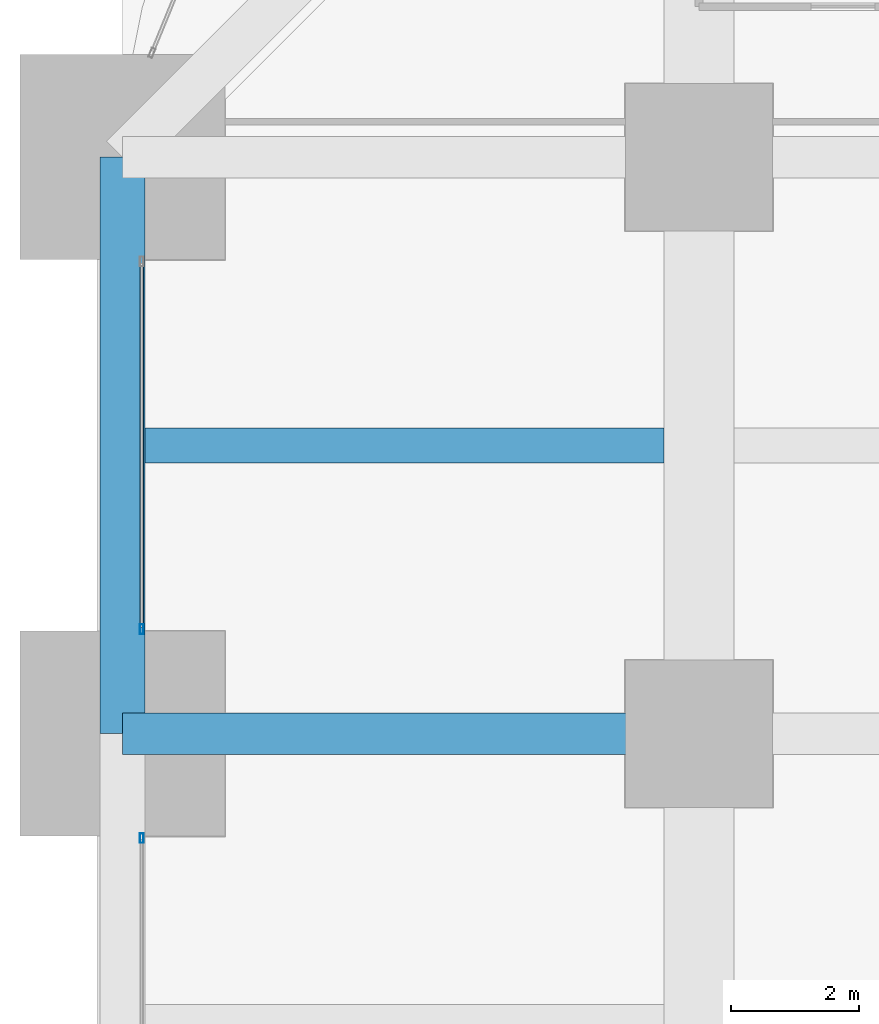
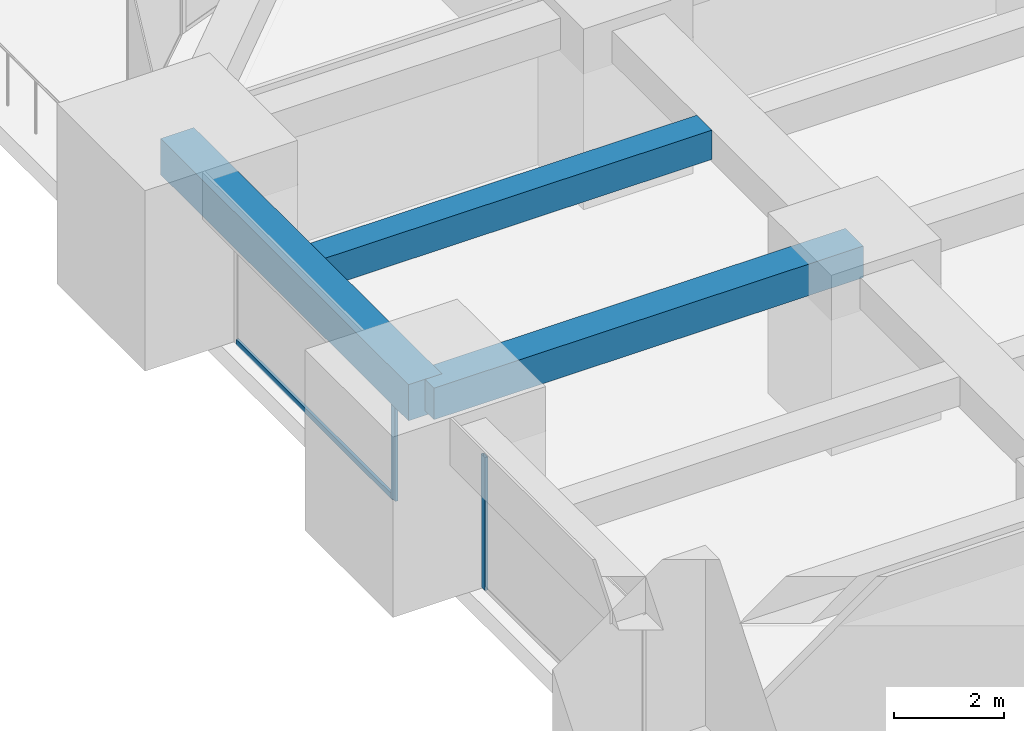
# One storey, part 11 of 50: 3 beams, 3 members, 2 elements without a shape of their own.
"""IFC4 building model written with IfcOpenShell, lengths in metres."""

import ifcopenshell
import ifcopenshell.guid

model = None  # the IFC model being written
_history = None  # IfcOwnerHistory: only IFC2X3 demands one
_inside = {}  # id of a spatial element -> (the spatial element, [elements in it])
_under = {}  # id of a project, library or spatial element -> (it, [spatial elements below it])
_declared = {}  # id of a project -> (the project, [libraries it declares])
_typed = {}  # id of a type object -> (the type object, [elements of that type])
_made_of = {}  # id of a material, layer set ... -> (it, [elements and type objects made of it])


def new_model(schema):
    """Start an empty IFC model of exactly this schema.

    Asked for "IFC4X3", IfcOpenShell would pick the latest addendum, in which some entities
    have other attributes; the version numbers below select the first issue.
    IFC2X3 requires an IfcOwnerHistory on every rooted entity: one is made here for all.
    """
    global model, _history
    if schema == "IFC4X3":
        model = ifcopenshell.file(schema_version=(4, 3, 0, 0))
    else:
        model = ifcopenshell.file(schema=schema)
    _inside.clear()
    _under.clear()
    _declared.clear()
    _typed.clear()
    _made_of.clear()
    _history = None
    if model.schema == "IFC2X3":
        org = make("IfcOrganization", Name="unknown")
        user = make(
            "IfcPersonAndOrganization",
            ThePerson=make("IfcPerson", FamilyName="unknown"),
            TheOrganization=org,
        )
        app = make(
            "IfcApplication",
            ApplicationDeveloper=org,
            Version="unknown",
            ApplicationFullName="unknown",
            ApplicationIdentifier="unknown",
        )
        _history = make(
            "IfcOwnerHistory",
            OwningUser=user,
            OwningApplication=app,
            ChangeAction="ADDED",
            CreationDate=0,
        )
    return model


def make(cls, **values):
    """One entity of the class cls with the attributes given. An attribute that is None is left unset."""
    return model.create_entity(
        cls, **{name: value for name, value in values.items() if value is not None}
    )


def rooted(cls, **values):
    """An entity with a GlobalId (a new one), such as an element, a storey or a relation."""
    return make(cls, GlobalId=ifcopenshell.guid.new(), OwnerHistory=_history, **values)


def si_unit(unit_type, name, prefix=None):
    """IfcSIUnit, for example si_unit("LENGTHUNIT", "METRE", prefix="MILLI")."""
    return make("IfcSIUnit", UnitType=unit_type, Prefix=prefix, Name=name)


def assignment(units):
    """IfcUnitAssignment: the units of a project."""
    return None if units is None else make("IfcUnitAssignment", Units=units)


def point(xyz):
    """IfcCartesianPoint."""
    return None if xyz is None else make("IfcCartesianPoint", Coordinates=xyz)


def direction(xyz):
    """IfcDirection."""
    return None if xyz is None else make("IfcDirection", DirectionRatios=xyz)


def frame(location, z_axis=None, x_axis=None):
    """IfcAxis2Placement3D, a coordinate frame: its origin and axes. An axis left out is left unset."""
    return make(
        "IfcAxis2Placement3D",
        Location=point(location),
        Axis=direction(z_axis),
        RefDirection=direction(x_axis),
    )


def frame_2d(location, x_axis=None):
    """IfcAxis2Placement2D, a coordinate frame in the plane: its origin and x axis."""
    return make(
        "IfcAxis2Placement2D", Location=point(location), RefDirection=direction(x_axis)
    )


def origin():
    """The frame at (0, 0, 0) with its axes left unset."""
    return frame((0.0, 0.0, 0.0))


def origin_2d():
    """The frame at (0, 0) in the plane with its x axis left unset."""
    return frame_2d((0.0, 0.0))


def place(relative_to, where):
    """IfcLocalPlacement: puts the frame where relative to a parent placement (None: the world)."""
    return make(
        "IfcLocalPlacement", PlacementRelTo=relative_to, RelativePlacement=where
    )


def context(
    kind, dimensions, precision=None, world=None, true_north=None, identifier=None
):
    """IfcGeometricRepresentationContext, for example the 3D "Model" context."""
    return make(
        "IfcGeometricRepresentationContext",
        ContextIdentifier=identifier,
        ContextType=kind,
        CoordinateSpaceDimension=dimensions,
        Precision=precision,
        WorldCoordinateSystem=world,
        TrueNorth=true_north,
    )


def subcontext(parent, identifier, kind, view, scale=None):
    """IfcGeometricRepresentationSubContext, for example "Body" below "Model"."""
    return make(
        "IfcGeometricRepresentationSubContext",
        ContextIdentifier=identifier,
        ContextType=kind,
        ParentContext=parent,
        TargetScale=scale,
        TargetView=view,
    )


def project(units=None, contexts=None):
    """IfcProject with its units and contexts."""
    return rooted(
        "IfcProject",
        Name="project",
        RepresentationContexts=contexts,
        UnitsInContext=assignment(units),
    )


def spatial(cls, under=None, at=None, **own):
    """A site, building, storey or space (cls), placed at a placement, below another one or the project."""
    s = rooted(cls, ObjectPlacement=at, **own)
    if under is not None:
        _under.setdefault(under.id(), (under, []))[1].append(s)
    return s


def profile(cls, at=None, kind="AREA", **sizes):
    """A parametric profile (cls). Its sizes go by their IFC names, for example OverallWidth=200.0."""
    return make(cls, ProfileType=kind, Position=at, **sizes)


def rectangle(**sizes):
    """IfcRectangleProfileDef."""
    return profile("IfcRectangleProfileDef", **sizes)


def hollow_rectangle(**sizes):
    """IfcRectangleHollowProfileDef."""
    return profile("IfcRectangleHollowProfileDef", **sizes)


def extrude(swept, where, along, depth):
    """IfcExtrudedAreaSolid: the profile swept, set in the frame where, extruded along a direction by depth."""
    return make(
        "IfcExtrudedAreaSolid",
        SweptArea=swept,
        Position=where,
        ExtrudedDirection=direction(along),
        Depth=depth,
    )


def shape(context_of_items, identifier, shape_type, items):
    """IfcShapeRepresentation: the items that make up one representation, for example the "Body"."""
    return make(
        "IfcShapeRepresentation",
        ContextOfItems=context_of_items,
        RepresentationIdentifier=identifier,
        RepresentationType=shape_type,
        Items=items,
    )


def material(Name=None, Category=None):
    """IfcMaterial."""
    return make("IfcMaterial", Name=Name, Category=Category)


def material_profile(
    of_material, cross_section, Name=None, Category=None, Priority=None
):
    """IfcMaterialProfile: a cross section and its material."""
    return make(
        "IfcMaterialProfile",
        Name=Name,
        Material=of_material,
        Profile=cross_section,
        Priority=Priority,
        Category=Category,
    )


def profile_set(profiles, Name=None, composite=None):
    """IfcMaterialProfileSet."""
    return make(
        "IfcMaterialProfileSet",
        Name=Name,
        MaterialProfiles=profiles,
        CompositeProfile=composite,
    )


def made_of(thing, what):
    """Note that an element or type object is made of a material, layer set ...; save() writes the relation."""
    if what is not None:
        _made_of.setdefault(what.id(), (what, []))[1].append(thing)
    return thing


def type_object(cls, material=None, **own):
    """A type object (cls), such as IfcWallType, which elements share."""
    return made_of(rooted(cls, **own), material)


def element(
    cls,
    number,
    at=None,
    inside=None,
    cuts=None,
    type_object=None,
    material=None,
    context=None,
    identifier="Body",
    shape_type=None,
    held_by="IfcProductDefinitionShape",
    body=None,
    shapes=None,
    **own,
):
    """One element of the class cls, such as IfcWall. Its Tag is "e" and its number.

    at: its placement. inside: the storey or other place that contains it. cuts: it is an
    opening in that element (IfcRelVoidsElement). A single representation is given by context,
    identifier, shape_type and body (its items); several are given by shapes. held_by: the class
    of the entity that holds the representations. save() writes the other relations.
    """
    e = rooted(cls, Tag="e%d" % number, ObjectPlacement=at, **own)
    if body is not None:
        shapes = [shape(context, identifier, shape_type, body)]
    if shapes is not None:
        e.Representation = make(held_by, Representations=shapes)
    if inside is not None:
        _inside.setdefault(inside.id(), (inside, []))[1].append(e)
    if cuts is not None:
        rooted(
            "IfcRelVoidsElement", RelatingBuildingElement=cuts, RelatedOpeningElement=e
        )
    if type_object is not None:
        _typed.setdefault(type_object.id(), (type_object, []))[1].append(e)
    return made_of(e, material)


def aggregate(whole, parts):
    """IfcRelAggregates: a whole, such as a stair, and the parts it consists of."""
    return rooted("IfcRelAggregates", RelatingObject=whole, RelatedObjects=parts)


def save(model, path):
    """Write the relations noted so far, then the file.

    IfcRelAggregates (storeys below a building ...), IfcRelContainedInSpatialStructure (elements
    in a storey), IfcRelDefinesByType, IfcRelAssociatesMaterial and IfcRelDeclares: one each for
    every whole, place, type object, material and project.
    """
    for whole, parts in _under.values():
        aggregate(whole, parts)
    for where, things in _inside.values():
        rooted(
            "IfcRelContainedInSpatialStructure",
            RelatedElements=things,
            RelatingStructure=where,
        )
    for kind, things in _typed.values():
        rooted("IfcRelDefinesByType", RelatedObjects=things, RelatingType=kind)
    for what, things in _made_of.values():
        rooted("IfcRelAssociatesMaterial", RelatedObjects=things, RelatingMaterial=what)
    for by, libraries in _declared.values():
        rooted("IfcRelDeclares", RelatingContext=by, RelatedDefinitions=libraries)
    model.write(path)


model = new_model("IFC4")

# Units and contexts
model_context = context("Model", 3, precision=1e-05, world=origin(), true_north=direction((0.0, 1.0)))
body_context = subcontext(model_context, "Body", "Model", "MODEL_VIEW")
ifc_project = project(units=[si_unit("LENGTHUNIT", "METRE"), si_unit("AREAUNIT", "SQUARE_METRE"), si_unit("VOLUMEUNIT", "CUBIC_METRE"), si_unit("PLANEANGLEUNIT", "RADIAN"), si_unit("MASSUNIT", "GRAM", prefix="KILO")], contexts=[model_context])

# Site, building, storey
site_placement = place(None, origin())
site = spatial("IfcSite", under=ifc_project, at=site_placement, CompositionType="ELEMENT")
building_placement = place(site_placement, origin())
building = spatial("IfcBuilding", under=site, at=building_placement, Name="Zorevar Civic Tower", CompositionType="ELEMENT")
storey_placement = place(building_placement, frame((0.0, 0.0, 85.0)))
storey = spatial("IfcBuildingStorey", under=building, at=storey_placement, Name="L20", CompositionType="ELEMENT", Elevation=85.0)

# Beams
ifc_material_1 = material(Name="Concrete C50/60", Category="concrete")
ifc_material_profile_1 = material_profile(ifc_material_1, rectangle(XDim=0.550048828125, YDim=0.64990234375, at=origin_2d()), Name="RC 550x650")
ifc_profile_set_1 = profile_set([ifc_material_profile_1], Name="Concrete C50/60")
beam_type_1 = type_object("IfcBeamType", Name="Beam RC 550x650", PredefinedType="BEAM", material=ifc_profile_set_1)
beam_1_placement = place(storey_placement, frame((0.35009765625, 31.5, 3.425048828125), z_axis=(1.0, 0.0, 0.0), x_axis=(0.0, 1.0, 0.0)))
element("IfcBeam", 1, at=beam_1_placement, inside=storey, type_object=beam_type_1, Name="Secondary beam L21", PredefinedType="BEAM", context=body_context, shape_type="SweptSolid", body=[
    extrude(rectangle(XDim=0.550048828125, YDim=0.64990234375, at=origin_2d()), origin(), (0.0, 0.0, 1.0), 8.099853515625),
])
ifc_material_2 = material(Name="Concrete C50/60", Category="concrete")
ifc_material_profile_2 = material_profile(ifc_material_2, rectangle(XDim=0.64990234375, YDim=0.699951171875, at=origin_2d()), Name="RC 650x700")
ifc_profile_set_2 = profile_set([ifc_material_profile_2], Name="Concrete C50/60")
beam_type_2 = type_object("IfcBeamType", Name="Beam RC 650x700", PredefinedType="BEAM", material=ifc_profile_set_2)
beam_2_placement = place(storey_placement, frame((0.0, 27.0, 3.39990234375), z_axis=(1.0, 0.0, 0.0), x_axis=(0.0, 1.0, 0.0)))
element("IfcBeam", 2, at=beam_2_placement, inside=storey, type_object=beam_type_2, Name="Girder L21", PredefinedType="BEAM", context=body_context, shape_type="SweptSolid", body=[
    extrude(rectangle(XDim=0.64990234375, YDim=0.699951171875, at=origin_2d()), origin(), (0.0, 0.0, 1.0), 9.0),
])

# Curtain wall, member
ifc_material_3 = material(Name="Dark grey solar-control glass in black aluminium frame", Category="aluminium")
curtain_wall_type = type_object("IfcCurtainWallType", Name="Curtain wall CW3 mid zone", PredefinedType="NOTDEFINED", material=ifc_material_3)
curtain_wall_1_placement = place(storey_placement, origin())
curtain_wall_1 = element("IfcCurtainWall", 3, at=curtain_wall_1_placement, inside=storey, type_object=curtain_wall_type, Name="CW3 L20", PredefinedType="NOTDEFINED")
ifc_material_4 = material(Name="Aluminium, black anodised", Category="aluminium")
ifc_material_profile_3 = material_profile(ifc_material_4, hollow_rectangle(XDim=0.06005859375, YDim=0.14990234375, WallThickness=0.00390625, at=origin_2d()), Name="AL 150x60x4")
ifc_profile_set_3 = profile_set([ifc_material_profile_3], Name="Aluminium, black anodised")
member_type_1 = type_object("IfcMemberType", Name="CW3 mullion AL 150x60x4", PredefinedType="MULLION", material=ifc_profile_set_3)
member_1_placement = place(storey_placement, frame((0.300048828125, 25.3701171875, 0.0), z_axis=(0.0, 0.0, 1.0), x_axis=(-1.0, 0.0, 0.0)))
member_1 = element("IfcMember", 4, at=member_1_placement, type_object=member_type_1, Name="CW3 mullion 2", PredefinedType="MULLION", context=body_context, shape_type="SweptSolid", body=[
    extrude(hollow_rectangle(XDim=0.06005859375, YDim=0.14990234375, WallThickness=0.00390625, at=origin_2d()), origin(), (0.0, 0.0, 1.0), 2.949951171875),
])
aggregate(curtain_wall_1, [member_1])

# Curtain wall, members
curtain_wall_2_placement = place(storey_placement, origin())
curtain_wall_2 = element("IfcCurtainWall", 5, at=curtain_wall_2_placement, inside=storey, type_object=curtain_wall_type, Name="CW3 L20", PredefinedType="NOTDEFINED")
member_2_placement = place(storey_placement, frame((0.300048828125, 28.6298828125, 0.0), z_axis=(0.0, 0.0, 1.0), x_axis=(-1.0, 0.0, 0.0)))
member_2 = element("IfcMember", 6, at=member_2_placement, type_object=member_type_1, Name="CW3 mullion 1", PredefinedType="MULLION", context=body_context, shape_type="SweptSolid", body=[
    extrude(hollow_rectangle(XDim=0.06005859375, YDim=0.14990234375, WallThickness=0.00390625, at=origin_2d()), origin(), (0.0, 0.0, 1.0), 2.949951171875),
])
ifc_material_5 = material(Name="Aluminium, black anodised", Category="aluminium")
ifc_material_profile_4 = material_profile(ifc_material_5, hollow_rectangle(XDim=0.06005859375, YDim=0.1201171875, WallThickness=0.0029296875, at=origin_2d()), Name="AL 120x60x3")
ifc_profile_set_4 = profile_set([ifc_material_profile_4], Name="Aluminium, black anodised")
member_type_2 = type_object("IfcMemberType", Name="CW3 transom AL 120x60x3", PredefinedType="USERDEFINED", material=ifc_profile_set_4)
member_3_placement = place(storey_placement, frame((0.300048828125, 28.659912109375, 0.030029296875), z_axis=(0.0, 1.0, 0.0), x_axis=(-1.0, 0.0, 0.0)))
member_3 = element("IfcMember", 7, at=member_3_placement, type_object=member_type_2, Name="CW3 sill transom", ObjectType="TRANSOM", PredefinedType="USERDEFINED", context=body_context, shape_type="SweptSolid", body=[
    extrude(hollow_rectangle(XDim=0.06005859375, YDim=0.1201171875, WallThickness=0.0029296875, at=origin_2d()), origin(), (0.0, 0.0, 1.0), 5.68017578125),
])
aggregate(curtain_wall_2, [member_2, member_3])

# Beam
ifc_material_6 = material(Name="Concrete C50/60", Category="concrete")
ifc_material_profile_5 = material_profile(ifc_material_6, rectangle(XDim=0.699951171875, YDim=0.800048828125, at=origin_2d()), Name="RC 700x800")
ifc_profile_set_5 = profile_set([ifc_material_profile_5], Name="Concrete C50/60")
beam_type_3 = type_object("IfcBeamType", Name="Edge beam RC 700x800", PredefinedType="SPANDREL", material=ifc_profile_set_5)
beam_3_placement = place(storey_placement, frame((0.0, 27.0, 3.35009765625), z_axis=(0.0, 1.0, 0.0), x_axis=(-1.0, 0.0, 0.0)))
element("IfcBeam", 8, at=beam_3_placement, inside=storey, type_object=beam_type_3, Name="Edge beam L21", PredefinedType="SPANDREL", context=body_context, shape_type="SweptSolid", body=[
    extrude(rectangle(XDim=0.699951171875, YDim=0.800048828125, at=origin_2d()), origin(), (0.0, 0.0, 1.0), 9.0),
])

save(model, "model.ifc")
